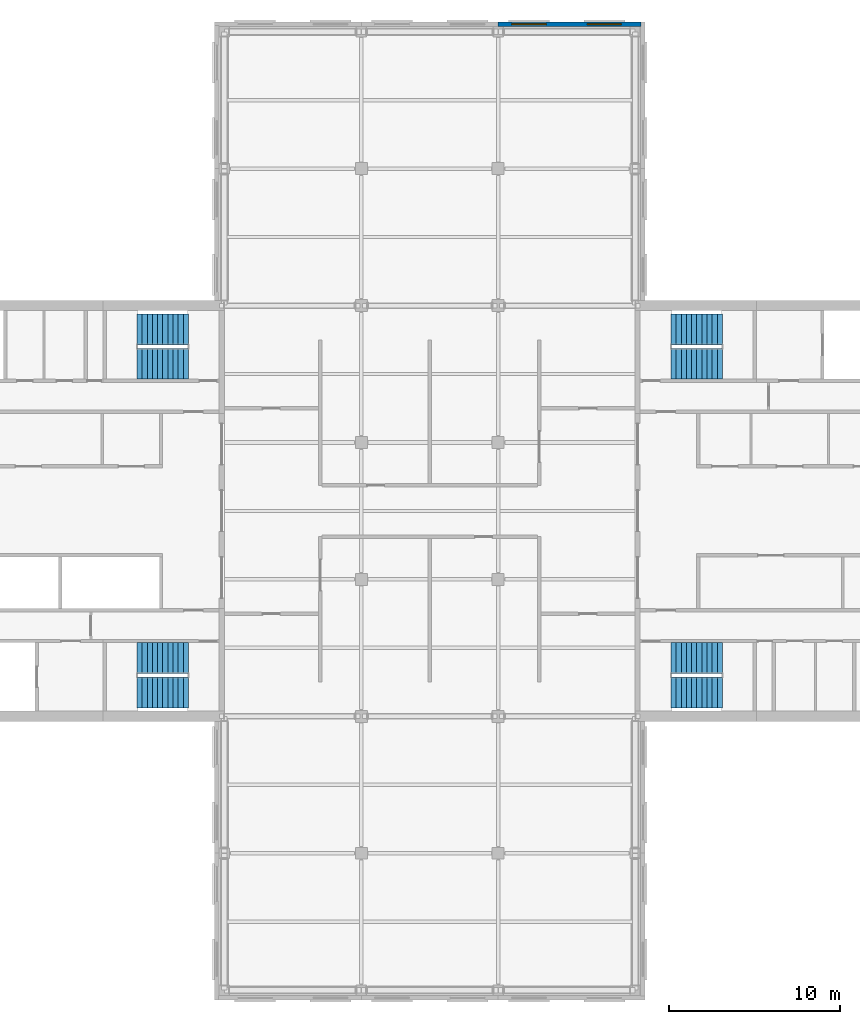
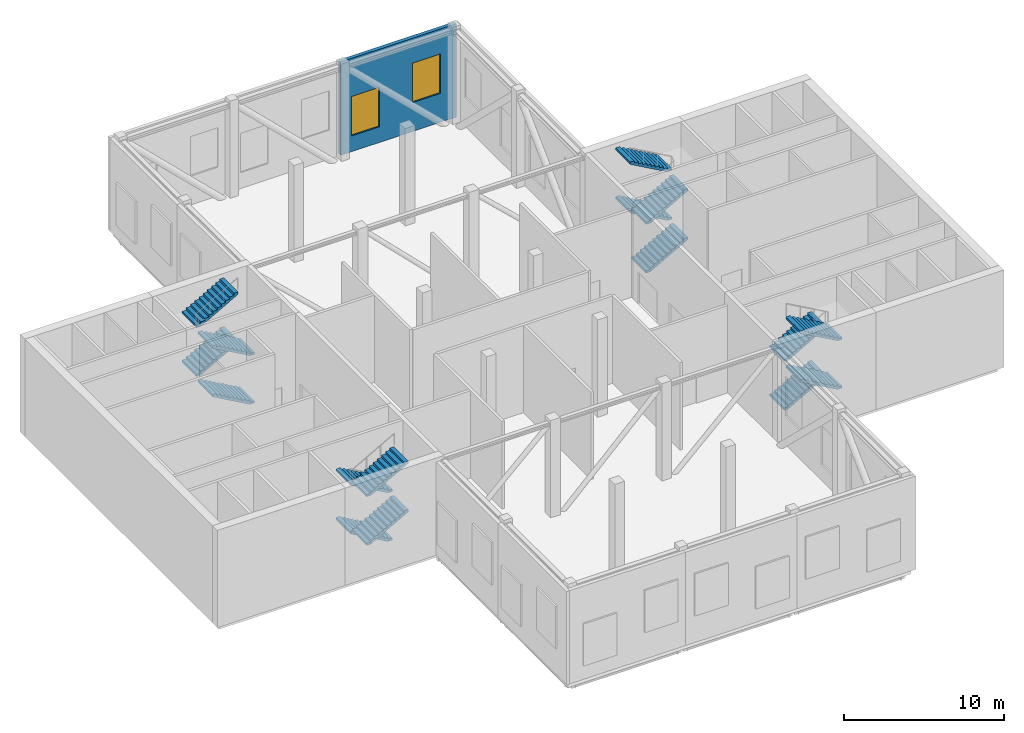
# One storey, part 7 of 10: 16 stair flights, 2 windows, 1 wall, 2 openings, 4 elements without a shape of their own.
"""IFC4 building model written with IfcOpenShell, lengths in metres."""

from ifc_helpers import new_model, si_unit, direction, frame, frame_2d, origin, place, context, subcontext, project, spatial, polyline, rectangle, outline, extrude, material, layer, layer_set, type_object, element, fill, aggregate, save


model = new_model("IFC4")

# Units and contexts
model_context = context("Model", 3, precision=1e-05, world=origin(), true_north=direction((0.0, 1.0)))
body_context = subcontext(model_context, "Body", "Model", "MODEL_VIEW")
ifc_project = project(units=[si_unit("LENGTHUNIT", "METRE"), si_unit("AREAUNIT", "SQUARE_METRE"), si_unit("VOLUMEUNIT", "CUBIC_METRE"), si_unit("PLANEANGLEUNIT", "RADIAN"), si_unit("MASSUNIT", "GRAM", prefix="KILO")], contexts=[model_context])

# Site, building, storey
site_placement = place(None, origin())
site = spatial("IfcSite", under=ifc_project, at=site_placement, CompositionType="ELEMENT")
building_placement = place(site_placement, origin())
building = spatial("IfcBuilding", under=site, at=building_placement, Name="Crosswind Convention Tower", CompositionType="ELEMENT")
storey_placement = place(building_placement, frame((0.0, 0.0, 237.699951171875)))
storey = spatial("IfcBuildingStorey", under=building, at=storey_placement, Name="L51", CompositionType="ELEMENT", Elevation=237.699951171875)

# Wall, openings, windows
ifc_material_1 = material(Name="Terracotta rainscreen", Category="ceramic")
ifc_layer_1 = layer(ifc_material_1, 0.02001953125)
ifc_material_2 = material(Name="Mineral wool insulation", Category="insulation")
ifc_layer_2 = layer(ifc_material_2, 0.10009765625)
ifc_material_3 = material(Name="Steel S355", Category="steel")
ifc_layer_3 = layer(ifc_material_3, 0.139892578125)
ifc_layer_set = layer_set([ifc_layer_1, ifc_layer_2, ifc_layer_3], Name="Terracotta rainscreen, Mineral wool insulation, Steel S355")
wall_type = type_object("IfcWallType", Name="TERRACOTTA PLANT WALL 260", PredefinedType="SOLIDWALL", material=ifc_layer_set)
wall_placement = place(storey_placement, frame((137.35009765625, 128.43505859375, 0.0), z_axis=(0.0, 0.0, 1.0), x_axis=(-1.0, 0.0, 0.0)))
wall = element("IfcWall", 1, at=wall_placement, inside=storey, type_object=wall_type, Name="Plant room wall L51 N-TIP.1-1", PredefinedType="SOLIDWALL", context=body_context, shape_type="SweptSolid", body=[
    extrude(rectangle(XDim=8.35009765625, YDim=0.260009765625, at=frame_2d((4.175048828125, 0.0))), origin(), (0.0, 0.0, 1.0), 7.10009765625),
])
opening_1_placement = place(wall_placement, frame((1.14990234375, 0.0, 2.199951171875)))
opening_1 = element("IfcOpeningElement", 2, at=opening_1_placement, cuts=wall, Name="Opening W11", PredefinedType="OPENING", context=body_context, shape_type="SweptSolid", body=[
    extrude(rectangle(XDim=2.0, YDim=3.0, at=frame_2d((1.0, 1.5))), frame((0.0, 0.139892578125, 0.0), z_axis=(0.0, -1.0, 0.0), x_axis=(1.0, 0.0, 0.0)), (0.0, 0.0, 1.0), 0.280029296875),
])
opening_2_placement = place(wall_placement, frame((5.550048828125, 0.0, 1.199951171875)))
opening_2 = element("IfcOpeningElement", 3, at=opening_2_placement, cuts=wall, Name="Opening W11", PredefinedType="OPENING", context=body_context, shape_type="SweptSolid", body=[
    extrude(rectangle(XDim=2.0, YDim=3.0, at=frame_2d((1.0, 1.5))), frame((0.0, 0.139892578125, 0.0), z_axis=(0.0, -1.0, 0.0), x_axis=(1.0, 0.0, 0.0)), (0.0, 0.0, 1.0), 0.280029296875),
])
ifc_material_4 = material(Name="Aluminium louvre", Category="aluminium")
window_type = type_object("IfcWindowType", Name="LOUVRE VENT 2000X3000", PartitioningType="SINGLE_PANEL", PredefinedType="WINDOW", material=ifc_material_4)
window_1_placement = place(opening_1_placement, origin())
window_1 = element("IfcWindow", 4, at=window_1_placement, inside=storey, type_object=window_type, Name="W11 louvre vent L51 N-TIP.1-1.1", ObjectType="W11", OverallHeight=3.0, OverallWidth=2.0, PartitioningType="SINGLE_PANEL", PredefinedType="WINDOW", context=body_context, shape_type="SweptSolid", body=[
    extrude(rectangle(XDim=2.0, YDim=3.0, at=frame_2d((1.0, 1.5))), frame((0.0, 0.030029296875, 0.0), z_axis=(0.0, -1.0, 0.0), x_axis=(1.0, 0.0, 0.0)), (0.0, 0.0, 1.0), 0.06005859375),
])
fill(opening_1, window_1)
window_2_placement = place(opening_2_placement, origin())
window_2 = element("IfcWindow", 5, at=window_2_placement, inside=storey, type_object=window_type, Name="W11 louvre vent L51 N-TIP.1-1.2", ObjectType="W11", OverallHeight=3.0, OverallWidth=2.0, PartitioningType="SINGLE_PANEL", PredefinedType="WINDOW", context=body_context, shape_type="SweptSolid", body=[
    extrude(rectangle(XDim=2.0, YDim=3.0, at=frame_2d((1.0, 1.5))), frame((0.0, 0.030029296875, 0.0), z_axis=(0.0, -1.0, 0.0), x_axis=(1.0, 0.0, 0.0)), (0.0, 0.0, 1.0), 0.06005859375),
])
fill(opening_2, window_2)

# Stair, stair flights
ifc_material_5 = material(Name="Concrete C40/50", Category="concrete")
stair_type = type_object("IfcStairType", Name="Exit stair 1800 wide, 4 flights of 11 risers", PredefinedType="HALF_TURN_STAIR", material=ifc_material_5)
stair_1_placement = place(storey_placement, origin())
stair_1 = element("IfcStair", 6, at=stair_1_placement, inside=storey, type_object=stair_type, Name="Exit stair ST1 L51", ObjectType="ST6", PredefinedType="HALF_TURN_STAIR")
stair_flight_type = type_object("IfcStairFlightType", Name="Stair flight 1800 wide, 11 risers (SF3)", PredefinedType="STRAIGHT", material=ifc_material_5)
stair_flight_1_placement = place(storey_placement, frame((139.10009765625, 108.60009765625, 0.0), z_axis=(0.0, 0.0, 1.0), x_axis=(1.0, 0.0, 0.0)))
stair_flight_1 = element("IfcStairFlight", 7, at=stair_flight_1_placement, type_object=stair_flight_type, Name="ST1 flight 1", NumberOfRisers=11, NumberOfTreads=10, PredefinedType="STRAIGHT", RiserHeight=0.168181818, TreadLength=0.3, context=body_context, shape_type="SweptSolid", body=[
    extrude(outline(polyline([(0.0, 0.0), (0.0, 0.168212890625), (0.300048828125, 0.168212890625), (0.300048828125, 0.33642578125), (0.60009765625, 0.33642578125), (0.60009765625, 0.504638671875), (0.89990234375, 0.504638671875), (0.89990234375, 0.672607421875), (1.199951171875, 0.672607421875), (1.199951171875, 0.8408203125), (1.5, 0.8408203125), (1.5, 1.009033203125), (1.800048828125, 1.009033203125), (1.800048828125, 1.17724609375), (2.10009765625, 1.17724609375), (2.10009765625, 1.345458984375), (2.39990234375, 1.345458984375), (2.39990234375, 1.513671875), (2.699951171875, 1.513671875), (2.699951171875, 1.681884765625), (3.0, 1.681884765625), (3.0, 1.85009765625), (3.0, 1.510009765625), (0.306640625, 0.0), (0.0, 0.0)])), frame((0.0, 0.89990234375, 0.0), z_axis=(0.0, -1.0, 0.0), x_axis=(1.0, 0.0, 0.0)), (0.0, 0.0, 1.0), 1.800048828125),
])
stair_flight_2_placement = place(storey_placement, frame((142.10009765625, 110.60009765625, 1.85009765625), z_axis=(0.0, 0.0, 1.0), x_axis=(-1.0, 0.0, 0.0)))
stair_flight_2 = element("IfcStairFlight", 8, at=stair_flight_2_placement, type_object=stair_flight_type, Name="ST1 flight 2", NumberOfRisers=11, NumberOfTreads=10, PredefinedType="STRAIGHT", RiserHeight=0.168181818, TreadLength=0.3, context=body_context, shape_type="SweptSolid", body=[
    extrude(outline(polyline([(0.0, 0.0), (0.0, 0.168212890625), (0.300048828125, 0.168212890625), (0.300048828125, 0.33642578125), (0.60009765625, 0.33642578125), (0.60009765625, 0.504638671875), (0.89990234375, 0.504638671875), (0.89990234375, 0.672607421875), (1.199951171875, 0.672607421875), (1.199951171875, 0.8408203125), (1.5, 0.8408203125), (1.5, 1.009033203125), (1.800048828125, 1.009033203125), (1.800048828125, 1.17724609375), (2.10009765625, 1.17724609375), (2.10009765625, 1.345458984375), (2.39990234375, 1.345458984375), (2.39990234375, 1.513671875), (2.699951171875, 1.513671875), (2.699951171875, 1.681884765625), (3.0, 1.681884765625), (3.0, 1.85009765625), (3.0, 1.510009765625), (0.306640625, 0.0), (0.0, 0.0)])), frame((0.0, 0.89990234375, 0.0), z_axis=(0.0, -1.0, 0.0), x_axis=(1.0, 0.0, 0.0)), (0.0, 0.0, 1.0), 1.800048828125),
])
stair_flight_3_placement = place(storey_placement, frame((139.10009765625, 108.60009765625, 3.699951171875), z_axis=(0.0, 0.0, 1.0), x_axis=(1.0, 0.0, 0.0)))
stair_flight_3 = element("IfcStairFlight", 9, at=stair_flight_3_placement, type_object=stair_flight_type, Name="ST1 flight 3", NumberOfRisers=11, NumberOfTreads=10, PredefinedType="STRAIGHT", RiserHeight=0.168181818, TreadLength=0.3, context=body_context, shape_type="SweptSolid", body=[
    extrude(outline(polyline([(0.0, 0.0), (0.0, 0.168212890625), (0.300048828125, 0.168212890625), (0.300048828125, 0.33642578125), (0.60009765625, 0.33642578125), (0.60009765625, 0.504638671875), (0.89990234375, 0.504638671875), (0.89990234375, 0.672607421875), (1.199951171875, 0.672607421875), (1.199951171875, 0.8408203125), (1.5, 0.8408203125), (1.5, 1.009033203125), (1.800048828125, 1.009033203125), (1.800048828125, 1.17724609375), (2.10009765625, 1.17724609375), (2.10009765625, 1.345458984375), (2.39990234375, 1.345458984375), (2.39990234375, 1.513671875), (2.699951171875, 1.513671875), (2.699951171875, 1.681884765625), (3.0, 1.681884765625), (3.0, 1.85009765625), (3.0, 1.510009765625), (0.306640625, 0.0), (0.0, 0.0)])), frame((0.0, 0.89990234375, 0.0), z_axis=(0.0, -1.0, 0.0), x_axis=(1.0, 0.0, 0.0)), (0.0, 0.0, 1.0), 1.800048828125),
])
stair_flight_4_placement = place(storey_placement, frame((142.10009765625, 110.60009765625, 5.550048828125), z_axis=(0.0, 0.0, 1.0), x_axis=(-1.0, 0.0, 0.0)))
stair_flight_4 = element("IfcStairFlight", 10, at=stair_flight_4_placement, type_object=stair_flight_type, Name="ST1 flight 4", NumberOfRisers=11, NumberOfTreads=10, PredefinedType="STRAIGHT", RiserHeight=0.168181818, TreadLength=0.3, context=body_context, shape_type="SweptSolid", body=[
    extrude(outline(polyline([(0.0, 0.0), (0.0, 0.168212890625), (0.300048828125, 0.168212890625), (0.300048828125, 0.33642578125), (0.60009765625, 0.33642578125), (0.60009765625, 0.504638671875), (0.89990234375, 0.504638671875), (0.89990234375, 0.672607421875), (1.199951171875, 0.672607421875), (1.199951171875, 0.8408203125), (1.5, 0.8408203125), (1.5, 1.009033203125), (1.800048828125, 1.009033203125), (1.800048828125, 1.17724609375), (2.10009765625, 1.17724609375), (2.10009765625, 1.345458984375), (2.39990234375, 1.345458984375), (2.39990234375, 1.513671875), (2.699951171875, 1.513671875), (2.699951171875, 1.681884765625), (3.0, 1.681884765625), (3.0, 1.85009765625), (3.0, 1.510009765625), (0.306640625, 0.0), (0.0, 0.0)])), frame((0.0, 0.89990234375, 0.0), z_axis=(0.0, -1.0, 0.0), x_axis=(1.0, 0.0, 0.0)), (0.0, 0.0, 1.0), 1.800048828125),
])
aggregate(stair_1, [stair_flight_1, stair_flight_2, stair_flight_3, stair_flight_4])

stair_2_placement = place(storey_placement, origin())
stair_2 = element("IfcStair", 11, at=stair_2_placement, inside=storey, type_object=stair_type, Name="Exit stair ST2 L51", ObjectType="ST6", PredefinedType="HALF_TURN_STAIR")
stair_flight_5_placement = place(storey_placement, frame((139.10009765625, 91.39990234375, 0.0), z_axis=(0.0, 0.0, 1.0), x_axis=(1.0, 0.0, 0.0)))
stair_flight_5 = element("IfcStairFlight", 12, at=stair_flight_5_placement, type_object=stair_flight_type, Name="ST2 flight 1", NumberOfRisers=11, NumberOfTreads=10, PredefinedType="STRAIGHT", RiserHeight=0.168181818, TreadLength=0.3, context=body_context, shape_type="SweptSolid", body=[
    extrude(outline(polyline([(0.0, 0.0), (0.0, 0.168212890625), (0.300048828125, 0.168212890625), (0.300048828125, 0.33642578125), (0.60009765625, 0.33642578125), (0.60009765625, 0.504638671875), (0.89990234375, 0.504638671875), (0.89990234375, 0.672607421875), (1.199951171875, 0.672607421875), (1.199951171875, 0.8408203125), (1.5, 0.8408203125), (1.5, 1.009033203125), (1.800048828125, 1.009033203125), (1.800048828125, 1.17724609375), (2.10009765625, 1.17724609375), (2.10009765625, 1.345458984375), (2.39990234375, 1.345458984375), (2.39990234375, 1.513671875), (2.699951171875, 1.513671875), (2.699951171875, 1.681884765625), (3.0, 1.681884765625), (3.0, 1.85009765625), (3.0, 1.510009765625), (0.306640625, 0.0), (0.0, 0.0)])), frame((0.0, 0.89990234375, 0.0), z_axis=(0.0, -1.0, 0.0), x_axis=(1.0, 0.0, 0.0)), (0.0, 0.0, 1.0), 1.800048828125),
])
stair_flight_6_placement = place(storey_placement, frame((142.10009765625, 89.39990234375, 1.85009765625), z_axis=(0.0, 0.0, 1.0), x_axis=(-1.0, 0.0, 0.0)))
stair_flight_6 = element("IfcStairFlight", 13, at=stair_flight_6_placement, type_object=stair_flight_type, Name="ST2 flight 2", NumberOfRisers=11, NumberOfTreads=10, PredefinedType="STRAIGHT", RiserHeight=0.168181818, TreadLength=0.3, context=body_context, shape_type="SweptSolid", body=[
    extrude(outline(polyline([(0.0, 0.0), (0.0, 0.168212890625), (0.300048828125, 0.168212890625), (0.300048828125, 0.33642578125), (0.60009765625, 0.33642578125), (0.60009765625, 0.504638671875), (0.89990234375, 0.504638671875), (0.89990234375, 0.672607421875), (1.199951171875, 0.672607421875), (1.199951171875, 0.8408203125), (1.5, 0.8408203125), (1.5, 1.009033203125), (1.800048828125, 1.009033203125), (1.800048828125, 1.17724609375), (2.10009765625, 1.17724609375), (2.10009765625, 1.345458984375), (2.39990234375, 1.345458984375), (2.39990234375, 1.513671875), (2.699951171875, 1.513671875), (2.699951171875, 1.681884765625), (3.0, 1.681884765625), (3.0, 1.85009765625), (3.0, 1.510009765625), (0.306640625, 0.0), (0.0, 0.0)])), frame((0.0, 0.89990234375, 0.0), z_axis=(0.0, -1.0, 0.0), x_axis=(1.0, 0.0, 0.0)), (0.0, 0.0, 1.0), 1.800048828125),
])
stair_flight_7_placement = place(storey_placement, frame((139.10009765625, 91.39990234375, 3.699951171875), z_axis=(0.0, 0.0, 1.0), x_axis=(1.0, 0.0, 0.0)))
stair_flight_7 = element("IfcStairFlight", 14, at=stair_flight_7_placement, type_object=stair_flight_type, Name="ST2 flight 3", NumberOfRisers=11, NumberOfTreads=10, PredefinedType="STRAIGHT", RiserHeight=0.168181818, TreadLength=0.3, context=body_context, shape_type="SweptSolid", body=[
    extrude(outline(polyline([(0.0, 0.0), (0.0, 0.168212890625), (0.300048828125, 0.168212890625), (0.300048828125, 0.33642578125), (0.60009765625, 0.33642578125), (0.60009765625, 0.504638671875), (0.89990234375, 0.504638671875), (0.89990234375, 0.672607421875), (1.199951171875, 0.672607421875), (1.199951171875, 0.8408203125), (1.5, 0.8408203125), (1.5, 1.009033203125), (1.800048828125, 1.009033203125), (1.800048828125, 1.17724609375), (2.10009765625, 1.17724609375), (2.10009765625, 1.345458984375), (2.39990234375, 1.345458984375), (2.39990234375, 1.513671875), (2.699951171875, 1.513671875), (2.699951171875, 1.681884765625), (3.0, 1.681884765625), (3.0, 1.85009765625), (3.0, 1.510009765625), (0.306640625, 0.0), (0.0, 0.0)])), frame((0.0, 0.89990234375, 0.0), z_axis=(0.0, -1.0, 0.0), x_axis=(1.0, 0.0, 0.0)), (0.0, 0.0, 1.0), 1.800048828125),
])
stair_flight_8_placement = place(storey_placement, frame((142.10009765625, 89.39990234375, 5.550048828125), z_axis=(0.0, 0.0, 1.0), x_axis=(-1.0, 0.0, 0.0)))
stair_flight_8 = element("IfcStairFlight", 15, at=stair_flight_8_placement, type_object=stair_flight_type, Name="ST2 flight 4", NumberOfRisers=11, NumberOfTreads=10, PredefinedType="STRAIGHT", RiserHeight=0.168181818, TreadLength=0.3, context=body_context, shape_type="SweptSolid", body=[
    extrude(outline(polyline([(0.0, 0.0), (0.0, 0.168212890625), (0.300048828125, 0.168212890625), (0.300048828125, 0.33642578125), (0.60009765625, 0.33642578125), (0.60009765625, 0.504638671875), (0.89990234375, 0.504638671875), (0.89990234375, 0.672607421875), (1.199951171875, 0.672607421875), (1.199951171875, 0.8408203125), (1.5, 0.8408203125), (1.5, 1.009033203125), (1.800048828125, 1.009033203125), (1.800048828125, 1.17724609375), (2.10009765625, 1.17724609375), (2.10009765625, 1.345458984375), (2.39990234375, 1.345458984375), (2.39990234375, 1.513671875), (2.699951171875, 1.513671875), (2.699951171875, 1.681884765625), (3.0, 1.681884765625), (3.0, 1.85009765625), (3.0, 1.510009765625), (0.306640625, 0.0), (0.0, 0.0)])), frame((0.0, 0.89990234375, 0.0), z_axis=(0.0, -1.0, 0.0), x_axis=(1.0, 0.0, 0.0)), (0.0, 0.0, 1.0), 1.800048828125),
])
aggregate(stair_2, [stair_flight_5, stair_flight_6, stair_flight_7, stair_flight_8])

stair_3_placement = place(storey_placement, origin())
stair_3 = element("IfcStair", 16, at=stair_3_placement, inside=storey, type_object=stair_type, Name="Exit stair ST3 L51", ObjectType="ST6", PredefinedType="HALF_TURN_STAIR")
stair_flight_9_placement = place(storey_placement, frame((110.89990234375, 91.39990234375, 0.0), z_axis=(0.0, 0.0, 1.0), x_axis=(-1.0, 0.0, 0.0)))
stair_flight_9 = element("IfcStairFlight", 17, at=stair_flight_9_placement, type_object=stair_flight_type, Name="ST3 flight 1", NumberOfRisers=11, NumberOfTreads=10, PredefinedType="STRAIGHT", RiserHeight=0.168181818, TreadLength=0.3, context=body_context, shape_type="SweptSolid", body=[
    extrude(outline(polyline([(0.0, 0.0), (0.0, 0.168212890625), (0.300048828125, 0.168212890625), (0.300048828125, 0.33642578125), (0.60009765625, 0.33642578125), (0.60009765625, 0.504638671875), (0.89990234375, 0.504638671875), (0.89990234375, 0.672607421875), (1.199951171875, 0.672607421875), (1.199951171875, 0.8408203125), (1.5, 0.8408203125), (1.5, 1.009033203125), (1.800048828125, 1.009033203125), (1.800048828125, 1.17724609375), (2.10009765625, 1.17724609375), (2.10009765625, 1.345458984375), (2.39990234375, 1.345458984375), (2.39990234375, 1.513671875), (2.699951171875, 1.513671875), (2.699951171875, 1.681884765625), (3.0, 1.681884765625), (3.0, 1.85009765625), (3.0, 1.510009765625), (0.306640625, 0.0), (0.0, 0.0)])), frame((0.0, 0.89990234375, 0.0), z_axis=(0.0, -1.0, 0.0), x_axis=(1.0, 0.0, 0.0)), (0.0, 0.0, 1.0), 1.800048828125),
])
stair_flight_10_placement = place(storey_placement, frame((107.89990234375, 89.39990234375, 1.85009765625), z_axis=(0.0, 0.0, 1.0), x_axis=(1.0, 0.0, 0.0)))
stair_flight_10 = element("IfcStairFlight", 18, at=stair_flight_10_placement, type_object=stair_flight_type, Name="ST3 flight 2", NumberOfRisers=11, NumberOfTreads=10, PredefinedType="STRAIGHT", RiserHeight=0.168181818, TreadLength=0.3, context=body_context, shape_type="SweptSolid", body=[
    extrude(outline(polyline([(0.0, 0.0), (0.0, 0.168212890625), (0.300048828125, 0.168212890625), (0.300048828125, 0.33642578125), (0.60009765625, 0.33642578125), (0.60009765625, 0.504638671875), (0.89990234375, 0.504638671875), (0.89990234375, 0.672607421875), (1.199951171875, 0.672607421875), (1.199951171875, 0.8408203125), (1.5, 0.8408203125), (1.5, 1.009033203125), (1.800048828125, 1.009033203125), (1.800048828125, 1.17724609375), (2.10009765625, 1.17724609375), (2.10009765625, 1.345458984375), (2.39990234375, 1.345458984375), (2.39990234375, 1.513671875), (2.699951171875, 1.513671875), (2.699951171875, 1.681884765625), (3.0, 1.681884765625), (3.0, 1.85009765625), (3.0, 1.510009765625), (0.306640625, 0.0), (0.0, 0.0)])), frame((0.0, 0.89990234375, 0.0), z_axis=(0.0, -1.0, 0.0), x_axis=(1.0, 0.0, 0.0)), (0.0, 0.0, 1.0), 1.800048828125),
])
stair_flight_11_placement = place(storey_placement, frame((110.89990234375, 91.39990234375, 3.699951171875), z_axis=(0.0, 0.0, 1.0), x_axis=(-1.0, 0.0, 0.0)))
stair_flight_11 = element("IfcStairFlight", 19, at=stair_flight_11_placement, type_object=stair_flight_type, Name="ST3 flight 3", NumberOfRisers=11, NumberOfTreads=10, PredefinedType="STRAIGHT", RiserHeight=0.168181818, TreadLength=0.3, context=body_context, shape_type="SweptSolid", body=[
    extrude(outline(polyline([(0.0, 0.0), (0.0, 0.168212890625), (0.300048828125, 0.168212890625), (0.300048828125, 0.33642578125), (0.60009765625, 0.33642578125), (0.60009765625, 0.504638671875), (0.89990234375, 0.504638671875), (0.89990234375, 0.672607421875), (1.199951171875, 0.672607421875), (1.199951171875, 0.8408203125), (1.5, 0.8408203125), (1.5, 1.009033203125), (1.800048828125, 1.009033203125), (1.800048828125, 1.17724609375), (2.10009765625, 1.17724609375), (2.10009765625, 1.345458984375), (2.39990234375, 1.345458984375), (2.39990234375, 1.513671875), (2.699951171875, 1.513671875), (2.699951171875, 1.681884765625), (3.0, 1.681884765625), (3.0, 1.85009765625), (3.0, 1.510009765625), (0.306640625, 0.0), (0.0, 0.0)])), frame((0.0, 0.89990234375, 0.0), z_axis=(0.0, -1.0, 0.0), x_axis=(1.0, 0.0, 0.0)), (0.0, 0.0, 1.0), 1.800048828125),
])
stair_flight_12_placement = place(storey_placement, frame((107.89990234375, 89.39990234375, 5.550048828125), z_axis=(0.0, 0.0, 1.0), x_axis=(1.0, 0.0, 0.0)))
stair_flight_12 = element("IfcStairFlight", 20, at=stair_flight_12_placement, type_object=stair_flight_type, Name="ST3 flight 4", NumberOfRisers=11, NumberOfTreads=10, PredefinedType="STRAIGHT", RiserHeight=0.168181818, TreadLength=0.3, context=body_context, shape_type="SweptSolid", body=[
    extrude(outline(polyline([(0.0, 0.0), (0.0, 0.168212890625), (0.300048828125, 0.168212890625), (0.300048828125, 0.33642578125), (0.60009765625, 0.33642578125), (0.60009765625, 0.504638671875), (0.89990234375, 0.504638671875), (0.89990234375, 0.672607421875), (1.199951171875, 0.672607421875), (1.199951171875, 0.8408203125), (1.5, 0.8408203125), (1.5, 1.009033203125), (1.800048828125, 1.009033203125), (1.800048828125, 1.17724609375), (2.10009765625, 1.17724609375), (2.10009765625, 1.345458984375), (2.39990234375, 1.345458984375), (2.39990234375, 1.513671875), (2.699951171875, 1.513671875), (2.699951171875, 1.681884765625), (3.0, 1.681884765625), (3.0, 1.85009765625), (3.0, 1.510009765625), (0.306640625, 0.0), (0.0, 0.0)])), frame((0.0, 0.89990234375, 0.0), z_axis=(0.0, -1.0, 0.0), x_axis=(1.0, 0.0, 0.0)), (0.0, 0.0, 1.0), 1.800048828125),
])
aggregate(stair_3, [stair_flight_9, stair_flight_10, stair_flight_11, stair_flight_12])

stair_4_placement = place(storey_placement, origin())
stair_4 = element("IfcStair", 21, at=stair_4_placement, inside=storey, type_object=stair_type, Name="Exit stair ST4 L51", ObjectType="ST6", PredefinedType="HALF_TURN_STAIR")
stair_flight_13_placement = place(storey_placement, frame((110.89990234375, 108.60009765625, 0.0), z_axis=(0.0, 0.0, 1.0), x_axis=(-1.0, 0.0, 0.0)))
stair_flight_13 = element("IfcStairFlight", 22, at=stair_flight_13_placement, type_object=stair_flight_type, Name="ST4 flight 1", NumberOfRisers=11, NumberOfTreads=10, PredefinedType="STRAIGHT", RiserHeight=0.168181818, TreadLength=0.3, context=body_context, shape_type="SweptSolid", body=[
    extrude(outline(polyline([(0.0, 0.0), (0.0, 0.168212890625), (0.300048828125, 0.168212890625), (0.300048828125, 0.33642578125), (0.60009765625, 0.33642578125), (0.60009765625, 0.504638671875), (0.89990234375, 0.504638671875), (0.89990234375, 0.672607421875), (1.199951171875, 0.672607421875), (1.199951171875, 0.8408203125), (1.5, 0.8408203125), (1.5, 1.009033203125), (1.800048828125, 1.009033203125), (1.800048828125, 1.17724609375), (2.10009765625, 1.17724609375), (2.10009765625, 1.345458984375), (2.39990234375, 1.345458984375), (2.39990234375, 1.513671875), (2.699951171875, 1.513671875), (2.699951171875, 1.681884765625), (3.0, 1.681884765625), (3.0, 1.85009765625), (3.0, 1.510009765625), (0.306640625, 0.0), (0.0, 0.0)])), frame((0.0, 0.89990234375, 0.0), z_axis=(0.0, -1.0, 0.0), x_axis=(1.0, 0.0, 0.0)), (0.0, 0.0, 1.0), 1.800048828125),
])
stair_flight_14_placement = place(storey_placement, frame((107.89990234375, 110.60009765625, 1.85009765625), z_axis=(0.0, 0.0, 1.0), x_axis=(1.0, 0.0, 0.0)))
stair_flight_14 = element("IfcStairFlight", 23, at=stair_flight_14_placement, type_object=stair_flight_type, Name="ST4 flight 2", NumberOfRisers=11, NumberOfTreads=10, PredefinedType="STRAIGHT", RiserHeight=0.168181818, TreadLength=0.3, context=body_context, shape_type="SweptSolid", body=[
    extrude(outline(polyline([(0.0, 0.0), (0.0, 0.168212890625), (0.300048828125, 0.168212890625), (0.300048828125, 0.33642578125), (0.60009765625, 0.33642578125), (0.60009765625, 0.504638671875), (0.89990234375, 0.504638671875), (0.89990234375, 0.672607421875), (1.199951171875, 0.672607421875), (1.199951171875, 0.8408203125), (1.5, 0.8408203125), (1.5, 1.009033203125), (1.800048828125, 1.009033203125), (1.800048828125, 1.17724609375), (2.10009765625, 1.17724609375), (2.10009765625, 1.345458984375), (2.39990234375, 1.345458984375), (2.39990234375, 1.513671875), (2.699951171875, 1.513671875), (2.699951171875, 1.681884765625), (3.0, 1.681884765625), (3.0, 1.85009765625), (3.0, 1.510009765625), (0.306640625, 0.0), (0.0, 0.0)])), frame((0.0, 0.89990234375, 0.0), z_axis=(0.0, -1.0, 0.0), x_axis=(1.0, 0.0, 0.0)), (0.0, 0.0, 1.0), 1.800048828125),
])
stair_flight_15_placement = place(storey_placement, frame((110.89990234375, 108.60009765625, 3.699951171875), z_axis=(0.0, 0.0, 1.0), x_axis=(-1.0, 0.0, 0.0)))
stair_flight_15 = element("IfcStairFlight", 24, at=stair_flight_15_placement, type_object=stair_flight_type, Name="ST4 flight 3", NumberOfRisers=11, NumberOfTreads=10, PredefinedType="STRAIGHT", RiserHeight=0.168181818, TreadLength=0.3, context=body_context, shape_type="SweptSolid", body=[
    extrude(outline(polyline([(0.0, 0.0), (0.0, 0.168212890625), (0.300048828125, 0.168212890625), (0.300048828125, 0.33642578125), (0.60009765625, 0.33642578125), (0.60009765625, 0.504638671875), (0.89990234375, 0.504638671875), (0.89990234375, 0.672607421875), (1.199951171875, 0.672607421875), (1.199951171875, 0.8408203125), (1.5, 0.8408203125), (1.5, 1.009033203125), (1.800048828125, 1.009033203125), (1.800048828125, 1.17724609375), (2.10009765625, 1.17724609375), (2.10009765625, 1.345458984375), (2.39990234375, 1.345458984375), (2.39990234375, 1.513671875), (2.699951171875, 1.513671875), (2.699951171875, 1.681884765625), (3.0, 1.681884765625), (3.0, 1.85009765625), (3.0, 1.510009765625), (0.306640625, 0.0), (0.0, 0.0)])), frame((0.0, 0.89990234375, 0.0), z_axis=(0.0, -1.0, 0.0), x_axis=(1.0, 0.0, 0.0)), (0.0, 0.0, 1.0), 1.800048828125),
])
stair_flight_16_placement = place(storey_placement, frame((107.89990234375, 110.60009765625, 5.550048828125), z_axis=(0.0, 0.0, 1.0), x_axis=(1.0, 0.0, 0.0)))
stair_flight_16 = element("IfcStairFlight", 25, at=stair_flight_16_placement, type_object=stair_flight_type, Name="ST4 flight 4", NumberOfRisers=11, NumberOfTreads=10, PredefinedType="STRAIGHT", RiserHeight=0.168181818, TreadLength=0.3, context=body_context, shape_type="SweptSolid", body=[
    extrude(outline(polyline([(0.0, 0.0), (0.0, 0.168212890625), (0.300048828125, 0.168212890625), (0.300048828125, 0.33642578125), (0.60009765625, 0.33642578125), (0.60009765625, 0.504638671875), (0.89990234375, 0.504638671875), (0.89990234375, 0.672607421875), (1.199951171875, 0.672607421875), (1.199951171875, 0.8408203125), (1.5, 0.8408203125), (1.5, 1.009033203125), (1.800048828125, 1.009033203125), (1.800048828125, 1.17724609375), (2.10009765625, 1.17724609375), (2.10009765625, 1.345458984375), (2.39990234375, 1.345458984375), (2.39990234375, 1.513671875), (2.699951171875, 1.513671875), (2.699951171875, 1.681884765625), (3.0, 1.681884765625), (3.0, 1.85009765625), (3.0, 1.510009765625), (0.306640625, 0.0), (0.0, 0.0)])), frame((0.0, 0.89990234375, 0.0), z_axis=(0.0, -1.0, 0.0), x_axis=(1.0, 0.0, 0.0)), (0.0, 0.0, 1.0), 1.800048828125),
])
aggregate(stair_4, [stair_flight_13, stair_flight_14, stair_flight_15, stair_flight_16])

save(model, "model.ifc")
